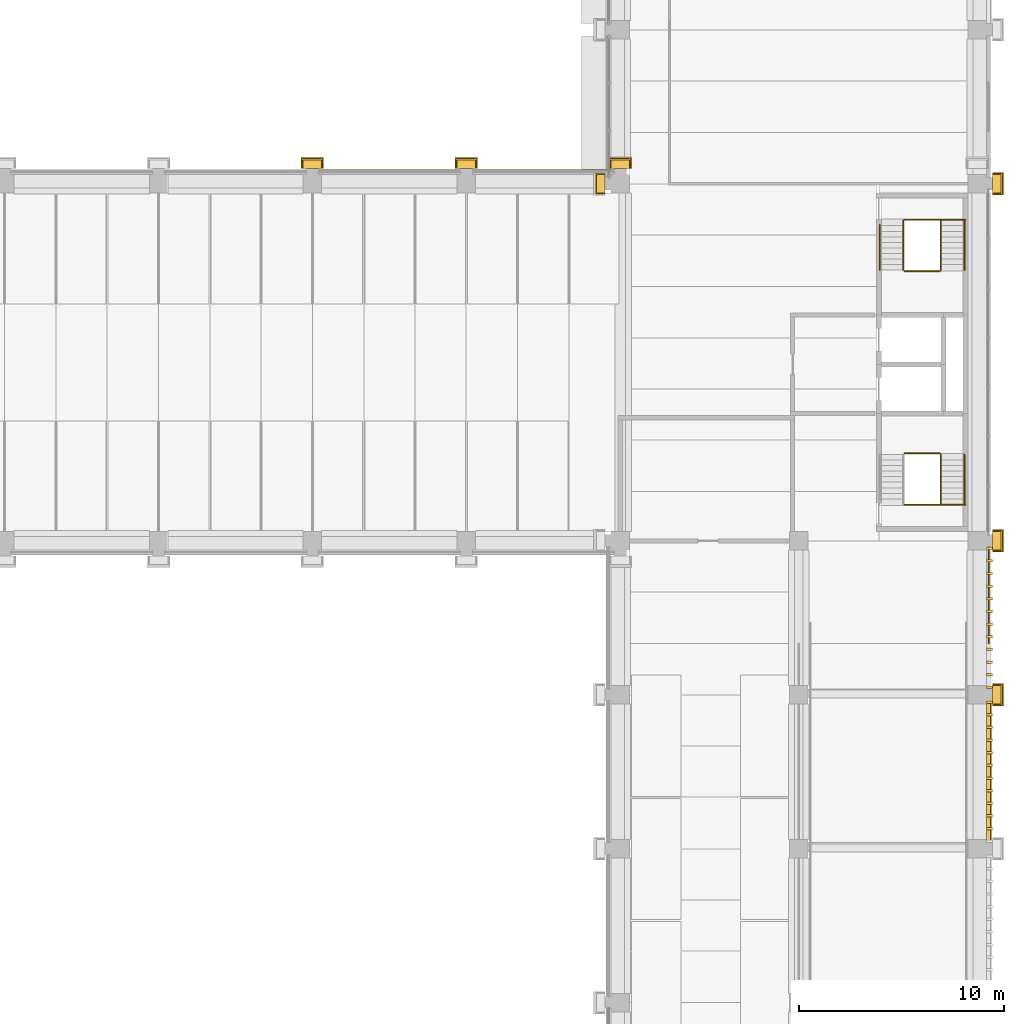
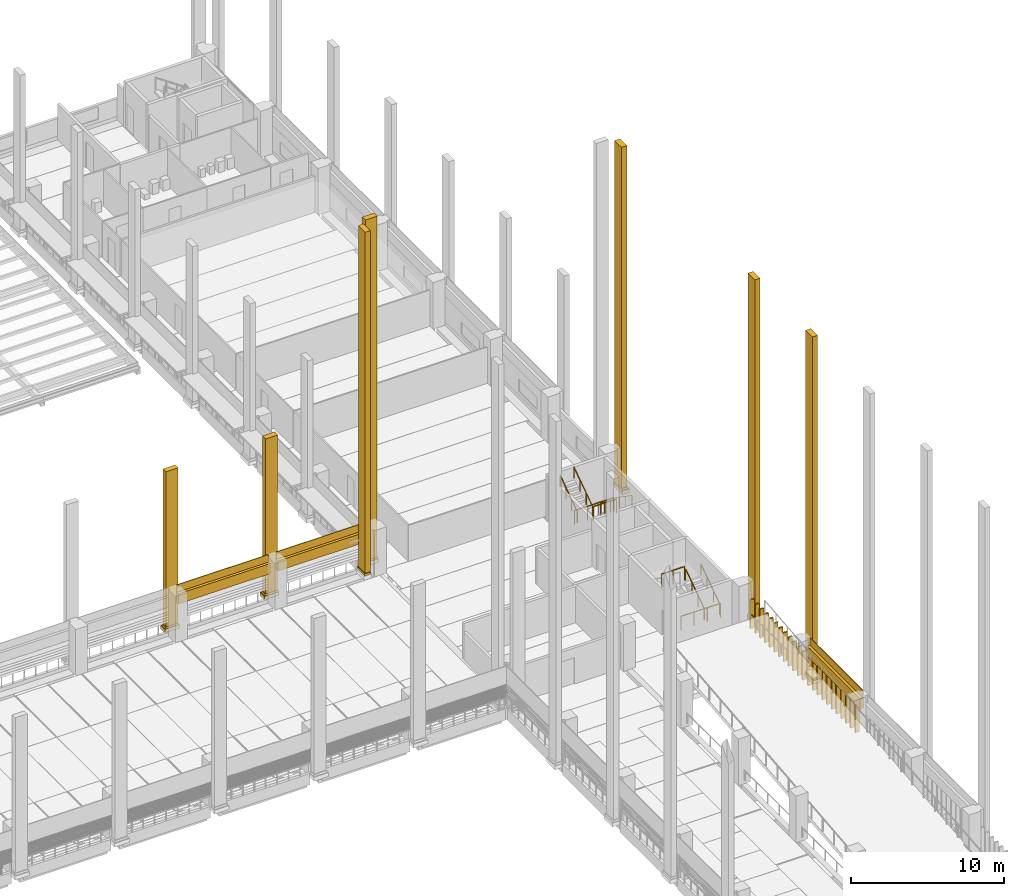
# One storey, part 60 of 67: 46 coverings, 11 railings.
"""IFC4 building model written with IfcOpenShell, lengths in metres."""

from ifc_helpers import new_model, si_unit, direction, frame, origin, origin_2d, place, context, subcontext, project, spatial, polyline, circle, outline, extrude, material, layer, layer_set, type_object, element, save


model = new_model("IFC4")

# Units and contexts
model_context = context("Model", 3, precision=1e-05, world=origin(), true_north=direction((0.0, 1.0)))
body_context = subcontext(model_context, "Body", "Model", "MODEL_VIEW")
ifc_project = project(units=[si_unit("LENGTHUNIT", "METRE"), si_unit("AREAUNIT", "SQUARE_METRE"), si_unit("VOLUMEUNIT", "CUBIC_METRE"), si_unit("PLANEANGLEUNIT", "RADIAN"), si_unit("MASSUNIT", "GRAM", prefix="KILO")], contexts=[model_context])

# Site, building, storey
site_placement = place(None, origin())
site = spatial("IfcSite", under=ifc_project, at=site_placement, CompositionType="ELEMENT")
building_placement = place(site_placement, origin())
building = spatial("IfcBuilding", under=site, at=building_placement, Name="Cour d'Honneur Mobility Palace", CompositionType="ELEMENT")
storey_placement = place(building_placement, frame((0.0, 0.0, 4.5)))
storey = spatial("IfcBuildingStorey", under=building, at=storey_placement, Name="L01", CompositionType="ELEMENT", Elevation=4.5)

# Railings
ifc_material_1 = material(Name="Painted steel", Category="steel")
railing_type_1 = type_object("IfcRailingType", Name="Balustrade", PredefinedType="BALUSTRADE", material=ifc_material_1)
railing_1_placement = place(storey_placement, frame((162.85009765625, 40.0, 0.300048828125)))
element("IfcRailing", 1, at=railing_1_placement, inside=storey, type_object=railing_type_1, Name="Balustrade BAL-32", PredefinedType="BALUSTRADE", context=body_context, shape_type="SweptSolid", body=[
    extrude(circle(Radius=0.02392578125, at=origin_2d()), frame((0.0, 0.0, 0.77587890625), z_axis=(0.0, 1.0, 0.0), x_axis=(-1.0, 0.0, 0.0)), (0.0, 0.0, 1.0), 4.699951171875),
    extrude(circle(Radius=0.02099609375, at=origin_2d()), origin(), (0.0, 0.0, 1.0), 0.751953125),
    extrude(circle(Radius=0.02099609375, at=origin_2d()), frame((0.0, 0.783203125, 0.0)), (0.0, 0.0, 1.0), 0.751953125),
    extrude(circle(Radius=0.02099609375, at=origin_2d()), frame((0.0, 1.566650390625, 0.0)), (0.0, 0.0, 1.0), 0.751953125),
    extrude(circle(Radius=0.02099609375, at=origin_2d()), frame((0.0, 2.35009765625, 0.0)), (0.0, 0.0, 1.0), 0.751953125),
    extrude(circle(Radius=0.02099609375, at=origin_2d()), frame((0.0, 3.13330078125, 0.0)), (0.0, 0.0, 1.0), 0.751953125),
    extrude(circle(Radius=0.02099609375, at=origin_2d()), frame((0.0, 3.91650390625, 0.0)), (0.0, 0.0, 1.0), 0.751953125),
    extrude(circle(Radius=0.02099609375, at=origin_2d()), frame((0.0, 4.699951171875, 0.0)), (0.0, 0.0, 1.0), 0.751953125),
])
ifc_material_2 = material(Name="Painted steel", Category="steel")
railing_type_2 = type_object("IfcRailingType", Name="Guardrail 1100", PredefinedType="GUARDRAIL", material=ifc_material_2)
railing_2_placement = place(storey_placement, frame((158.75, 46.7548828125, 0.0)))
element("IfcRailing", 2, at=railing_2_placement, inside=storey, type_object=railing_type_2, Name="Guard ST-CE1", PredefinedType="GUARDRAIL", context=body_context, shape_type="SweptSolid", body=[
    extrude(circle(Radius=0.02490234375, at=origin_2d()), frame((0.0, 0.0, 1.0751953125), z_axis=(1.0, 0.0, 0.0), x_axis=(0.0, 1.0, 0.0)), (0.0, 0.0, 1.0), 2.97509765625),
    extrude(circle(Radius=0.02099609375, at=origin_2d()), origin(), (0.0, 0.0, 1.0), 1.050048828125),
    extrude(circle(Radius=0.02099609375, at=origin_2d()), frame((0.99169921875, 0.0, 0.0)), (0.0, 0.0, 1.0), 1.050048828125),
    extrude(circle(Radius=0.02099609375, at=origin_2d()), frame((1.9833984375, 0.0, 0.0)), (0.0, 0.0, 1.0), 1.050048828125),
    extrude(circle(Radius=0.02099609375, at=origin_2d()), frame((2.97509765625, 0.0, 0.0)), (0.0, 0.0, 1.0), 1.050048828125),
])
railing_3_placement = place(storey_placement, frame((158.75, 49.264892578125, 1.85009765625)))
element("IfcRailing", 3, at=railing_3_placement, inside=storey, type_object=railing_type_2, Name="Landing guard ST-CE1", PredefinedType="GUARDRAIL", context=body_context, shape_type="SweptSolid", body=[
    extrude(circle(Radius=0.02490234375, at=origin_2d()), frame((0.0, 0.0, 1.0751953125), z_axis=(1.0, 0.0, 0.0), x_axis=(0.0, 1.0, 0.0)), (0.0, 0.0, 1.0), 1.72509765625),
    extrude(circle(Radius=0.02099609375, at=origin_2d()), origin(), (0.0, 0.0, 1.0), 1.050048828125),
    extrude(circle(Radius=0.02099609375, at=origin_2d()), frame((0.862548828125, 0.0, 0.0)), (0.0, 0.0, 1.0), 1.050048828125),
    extrude(circle(Radius=0.02099609375, at=origin_2d()), frame((1.72509765625, 0.0, 0.0)), (0.0, 0.0, 1.0), 1.050048828125),
])
railing_4_placement = place(storey_placement, frame((158.75, 60.64501953125, 0.0)))
element("IfcRailing", 4, at=railing_4_placement, inside=storey, type_object=railing_type_2, Name="Guard ST-CE2", PredefinedType="GUARDRAIL", context=body_context, shape_type="SweptSolid", body=[
    extrude(circle(Radius=0.02490234375, at=origin_2d()), frame((0.0, 0.0, 1.0751953125), z_axis=(1.0, 0.0, 0.0), x_axis=(0.0, 1.0, 0.0)), (0.0, 0.0, 1.0), 2.97509765625),
    extrude(circle(Radius=0.02099609375, at=origin_2d()), origin(), (0.0, 0.0, 1.0), 1.050048828125),
    extrude(circle(Radius=0.02099609375, at=origin_2d()), frame((0.99169921875, 0.0, 0.0)), (0.0, 0.0, 1.0), 1.050048828125),
    extrude(circle(Radius=0.02099609375, at=origin_2d()), frame((1.9833984375, 0.0, 0.0)), (0.0, 0.0, 1.0), 1.050048828125),
    extrude(circle(Radius=0.02099609375, at=origin_2d()), frame((2.97509765625, 0.0, 0.0)), (0.0, 0.0, 1.0), 1.050048828125),
])
railing_5_placement = place(storey_placement, frame((158.75, 58.135009765625, 1.85009765625)))
element("IfcRailing", 5, at=railing_5_placement, inside=storey, type_object=railing_type_2, Name="Landing guard ST-CE2", PredefinedType="GUARDRAIL", context=body_context, shape_type="SweptSolid", body=[
    extrude(circle(Radius=0.02490234375, at=origin_2d()), frame((0.0, 0.0, 1.0751953125), z_axis=(1.0, 0.0, 0.0), x_axis=(0.0, 1.0, 0.0)), (0.0, 0.0, 1.0), 1.72509765625),
    extrude(circle(Radius=0.02099609375, at=origin_2d()), origin(), (0.0, 0.0, 1.0), 1.050048828125),
    extrude(circle(Radius=0.02099609375, at=origin_2d()), frame((0.862548828125, 0.0, 0.0)), (0.0, 0.0, 1.0), 1.050048828125),
    extrude(circle(Radius=0.02099609375, at=origin_2d()), frame((1.72509765625, 0.0, 0.0)), (0.0, 0.0, 1.0), 1.050048828125),
])
ifc_material_3 = material(Name="Stainless steel", Category="steel")
railing_type_3 = type_object("IfcRailingType", Name="Handrail round 50", PredefinedType="HANDRAIL", material=ifc_material_3)
for number, where, name in (
    (6, (161.675048828125, 46.77490234375, 0.18505859375), "Handrail ST-CE1"),
    (7, (160.52490234375, 46.77490234375, 0.18505859375), "Handrail ST-CE1"),
):
    element("IfcRailing", number, at=place(storey_placement, frame(where)), inside=storey, type_object=railing_type_3, Name=name, PredefinedType="HANDRAIL", context=body_context, shape_type="SweptSolid", body=[
        extrude(circle(Radius=0.02490234375, at=origin_2d()), frame((0.0, 0.0, 0.89501953125), z_axis=(0.0, 0.824945253146, 0.565212640793), x_axis=(-1.0, 0.0, 0.0)), (0.0, 0.0, 1.0), 2.94580078125),
        extrude(circle(Radius=0.02099609375, at=origin_2d()), origin(), (0.0, 0.0, 1.0), 0.869873046875),
        extrude(circle(Radius=0.02099609375, at=origin_2d()), frame((0.0, 0.81005859375, 0.554931640625)), (0.0, 0.0, 1.0), 0.869873046875),
        extrude(circle(Radius=0.02099609375, at=origin_2d()), frame((0.0, 1.6201171875, 1.110107421875)), (0.0, 0.0, 1.0), 0.869873046875),
        extrude(circle(Radius=0.02099609375, at=origin_2d()), frame((0.0, 2.43017578125, 1.6650390625)), (0.0, 0.0, 1.0), 0.869873046875),
    ])
for number, where, name in (
    (8, (161.675048828125, 60.625, 0.18505859375), "Handrail ST-CE2"),
    (9, (160.52490234375, 60.625, 0.18505859375), "Handrail ST-CE2"),
):
    element("IfcRailing", number, at=place(storey_placement, frame(where)), inside=storey, type_object=railing_type_3, Name=name, PredefinedType="HANDRAIL", context=body_context, shape_type="SweptSolid", body=[
        extrude(circle(Radius=0.02490234375, at=origin_2d()), frame((0.0, 0.0, 0.89501953125), z_axis=(0.0, -0.8249187745, 0.56525128525), x_axis=(1.0, 0.0, 0.0)), (0.0, 0.0, 1.0), 2.945556640625),
        extrude(circle(Radius=0.02099609375, at=origin_2d()), origin(), (0.0, 0.0, 1.0), 0.869873046875),
        extrude(circle(Radius=0.02099609375, at=origin_2d()), frame((0.0, -0.81005859375, 0.554931640625)), (0.0, 0.0, 1.0), 0.869873046875),
        extrude(circle(Radius=0.02099609375, at=origin_2d()), frame((0.0, -1.619873046875, 1.110107421875)), (0.0, 0.0, 1.0), 0.869873046875),
        extrude(circle(Radius=0.02099609375, at=origin_2d()), frame((0.0, -2.429931640625, 1.6650390625)), (0.0, 0.0, 1.0), 0.869873046875),
    ])
railing_6_placement = place(storey_placement, frame((158.699951171875, 58.195068359375, 2.034912109375)))
element("IfcRailing", 10, at=railing_6_placement, inside=storey, type_object=railing_type_3, Name="Handrail ST-CE2", PredefinedType="HANDRAIL", context=body_context, shape_type="SweptSolid", body=[
    extrude(circle(Radius=0.02490234375, at=origin_2d()), frame((0.0, 0.0, 0.89501953125), z_axis=(0.0, 0.8249187745, 0.56525128525), x_axis=(-1.0, 0.0, 0.0)), (0.0, 0.0, 1.0), 2.945556640625),
    extrude(circle(Radius=0.02099609375, at=origin_2d()), origin(), (0.0, 0.0, 1.0), 0.869873046875),
    extrude(circle(Radius=0.02099609375, at=origin_2d()), frame((0.0, 0.81005859375, 0.554931640625)), (0.0, 0.0, 1.0), 0.869873046875),
    extrude(circle(Radius=0.02099609375, at=origin_2d()), frame((0.0, 1.619873046875, 1.110107421875)), (0.0, 0.0, 1.0), 0.869873046875),
    extrude(circle(Radius=0.02099609375, at=origin_2d()), frame((0.0, 2.429931640625, 1.6650390625)), (0.0, 0.0, 1.0), 0.869873046875),
])
railing_7_placement = place(storey_placement, frame((157.550048828125, 58.195068359375, 2.034912109375)))
element("IfcRailing", 11, at=railing_7_placement, inside=storey, type_object=railing_type_3, Name="Handrail ST-CE2", PredefinedType="HANDRAIL", context=body_context, shape_type="SweptSolid", body=[
    extrude(circle(Radius=0.02490234375, at=origin_2d()), frame((0.0, 0.0, 0.89501953125), z_axis=(0.0, 0.82488583654, 0.565299351384), x_axis=(-1.0, 0.0, 0.0)), (0.0, 0.0, 1.0), 2.6728515625),
    extrude(circle(Radius=0.02099609375, at=origin_2d()), origin(), (0.0, 0.0, 1.0), 0.869873046875),
    extrude(circle(Radius=0.02099609375, at=origin_2d()), frame((0.0, 0.73486328125, 0.503662109375)), (0.0, 0.0, 1.0), 0.869873046875),
    extrude(circle(Radius=0.02099609375, at=origin_2d()), frame((0.0, 1.469970703125, 1.00732421875)), (0.0, 0.0, 1.0), 0.869873046875),
    extrude(circle(Radius=0.02099609375, at=origin_2d()), frame((0.0, 2.204833984375, 1.510986328125)), (0.0, 0.0, 1.0), 0.869873046875),
])

# Coverings
ifc_material_4 = material(Name="Cast limestone", Category="masonry")
ifc_layer_1 = layer(ifc_material_4, 0.14990234375)
ifc_layer_set_1 = layer_set([ifc_layer_1], Name="Cast limestone")
covering_type_1 = type_object("IfcCoveringType", Name="Pilaster base", PredefinedType="CLADDING", material=ifc_layer_set_1)
covering_1_placement = place(storey_placement, frame((0.0, 0.0, 0.10009765625)))
element("IfcCovering", 12, at=covering_1_placement, inside=storey, type_object=covering_type_1, Name="Pilaster base PB-83", PredefinedType="CLADDING", context=body_context, shape_type="SweptSolid", body=[
    extrude(outline(polyline([(163.050048828125, 36.949951171875), (163.050048828125, 38.050048828125), (163.60009765625, 38.050048828125), (163.60009765625, 36.949951171875), (163.050048828125, 36.949951171875)])), origin(), (0.0, 0.0, 1.0), 0.2998046875),
])
covering_2_placement = place(storey_placement, frame((0.0, 0.0, 0.39990234375)))
element("IfcCovering", 13, at=covering_2_placement, inside=storey, type_object=covering_type_1, Name="Pilaster base PB-84", PredefinedType="CLADDING", context=body_context, shape_type="SweptSolid", body=[
    extrude(outline(polyline([(163.050048828125, 37.0), (163.050048828125, 38.0), (163.52001953125, 38.0), (163.52001953125, 37.0), (163.050048828125, 37.0)])), origin(), (0.0, 0.0, 1.0), 0.150146484375),
])
covering_3_placement = place(storey_placement, frame((0.0, 0.0, 0.10009765625)))
element("IfcCovering", 14, at=covering_3_placement, inside=storey, type_object=covering_type_1, Name="Pilaster base PB-85", PredefinedType="CLADDING", context=body_context, shape_type="SweptSolid", body=[
    extrude(outline(polyline([(163.050048828125, 44.449951171875), (163.050048828125, 45.550048828125), (163.60009765625, 45.550048828125), (163.60009765625, 44.449951171875), (163.050048828125, 44.449951171875)])), origin(), (0.0, 0.0, 1.0), 0.2998046875),
])
covering_4_placement = place(storey_placement, frame((0.0, 0.0, 0.39990234375)))
element("IfcCovering", 15, at=covering_4_placement, inside=storey, type_object=covering_type_1, Name="Pilaster base PB-86", PredefinedType="CLADDING", context=body_context, shape_type="SweptSolid", body=[
    extrude(outline(polyline([(163.050048828125, 44.5), (163.050048828125, 45.5), (163.52001953125, 45.5), (163.52001953125, 44.5), (163.050048828125, 44.5)])), origin(), (0.0, 0.0, 1.0), 0.150146484375),
])
covering_5_placement = place(storey_placement, frame((0.0, 0.0, 0.10009765625)))
element("IfcCovering", 16, at=covering_5_placement, inside=storey, type_object=covering_type_1, Name="Pilaster base PB-87", PredefinedType="CLADDING", context=body_context, shape_type="SweptSolid", body=[
    extrude(outline(polyline([(163.050048828125, 61.85009765625), (163.050048828125, 62.949951171875), (163.60009765625, 62.949951171875), (163.60009765625, 61.85009765625), (163.050048828125, 61.85009765625)])), origin(), (0.0, 0.0, 1.0), 0.2998046875),
])
covering_6_placement = place(storey_placement, frame((0.0, 0.0, 0.39990234375)))
element("IfcCovering", 17, at=covering_6_placement, inside=storey, type_object=covering_type_1, Name="Pilaster base PB-88", PredefinedType="CLADDING", context=body_context, shape_type="SweptSolid", body=[
    extrude(outline(polyline([(163.050048828125, 61.89990234375), (163.050048828125, 62.89990234375), (163.52001953125, 62.89990234375), (163.52001953125, 61.89990234375), (163.050048828125, 61.89990234375)])), origin(), (0.0, 0.0, 1.0), 0.150146484375),
])
covering_7_placement = place(storey_placement, frame((0.0, 0.0, 0.39990234375)))
element("IfcCovering", 18, at=covering_7_placement, inside=storey, type_object=covering_type_1, Name="Pilaster base PB-122", PredefinedType="CLADDING", context=body_context, shape_type="SweptSolid", body=[
    extrude(outline(polyline([(144.14990234375, 62.89990234375), (144.14990234375, 61.89990234375), (143.679931640625, 61.89990234375), (143.679931640625, 62.89990234375), (144.14990234375, 62.89990234375)])), origin(), (0.0, 0.0, 1.0), 0.150146484375),
])
covering_8_placement = place(storey_placement, frame((0.0, 0.0, 0.10009765625)))
element("IfcCovering", 19, at=covering_8_placement, inside=storey, type_object=covering_type_1, Name="Pilaster base PB-123", PredefinedType="CLADDING", context=body_context, shape_type="SweptSolid", body=[
    extrude(outline(polyline([(145.449951171875, 63.14990234375), (144.35009765625, 63.14990234375), (144.35009765625, 63.699951171875), (145.449951171875, 63.699951171875), (145.449951171875, 63.14990234375)])), origin(), (0.0, 0.0, 1.0), 0.2998046875),
])
covering_9_placement = place(storey_placement, frame((0.0, 0.0, 0.39990234375)))
element("IfcCovering", 20, at=covering_9_placement, inside=storey, type_object=covering_type_1, Name="Pilaster base PB-124", PredefinedType="CLADDING", context=body_context, shape_type="SweptSolid", body=[
    extrude(outline(polyline([(145.39990234375, 63.14990234375), (144.39990234375, 63.14990234375), (144.39990234375, 63.6201171875), (145.39990234375, 63.6201171875), (145.39990234375, 63.14990234375)])), origin(), (0.0, 0.0, 1.0), 0.150146484375),
])
covering_10_placement = place(storey_placement, frame((0.0, 0.0, 0.10009765625)))
element("IfcCovering", 21, at=covering_10_placement, inside=storey, type_object=covering_type_1, Name="Pilaster base PB-125", PredefinedType="CLADDING", context=body_context, shape_type="SweptSolid", body=[
    extrude(outline(polyline([(137.949951171875, 63.14990234375), (136.85009765625, 63.14990234375), (136.85009765625, 63.699951171875), (137.949951171875, 63.699951171875), (137.949951171875, 63.14990234375)])), origin(), (0.0, 0.0, 1.0), 0.2998046875),
])
covering_11_placement = place(storey_placement, frame((0.0, 0.0, 0.39990234375)))
element("IfcCovering", 22, at=covering_11_placement, inside=storey, type_object=covering_type_1, Name="Pilaster base PB-126", PredefinedType="CLADDING", context=body_context, shape_type="SweptSolid", body=[
    extrude(outline(polyline([(137.89990234375, 63.14990234375), (136.89990234375, 63.14990234375), (136.89990234375, 63.6201171875), (137.89990234375, 63.6201171875), (137.89990234375, 63.14990234375)])), origin(), (0.0, 0.0, 1.0), 0.150146484375),
])
covering_12_placement = place(storey_placement, frame((0.0, 0.0, 0.10009765625)))
element("IfcCovering", 23, at=covering_12_placement, inside=storey, type_object=covering_type_1, Name="Pilaster base PB-127", PredefinedType="CLADDING", context=body_context, shape_type="SweptSolid", body=[
    extrude(outline(polyline([(130.449951171875, 63.14990234375), (129.35009765625, 63.14990234375), (129.35009765625, 63.699951171875), (130.449951171875, 63.699951171875), (130.449951171875, 63.14990234375)])), origin(), (0.0, 0.0, 1.0), 0.2998046875),
])
covering_13_placement = place(storey_placement, frame((0.0, 0.0, 0.39990234375)))
element("IfcCovering", 24, at=covering_13_placement, inside=storey, type_object=covering_type_1, Name="Pilaster base PB-128", PredefinedType="CLADDING", context=body_context, shape_type="SweptSolid", body=[
    extrude(outline(polyline([(130.39990234375, 63.14990234375), (129.39990234375, 63.14990234375), (129.39990234375, 63.6201171875), (130.39990234375, 63.6201171875), (130.39990234375, 63.14990234375)])), origin(), (0.0, 0.0, 1.0), 0.150146484375),
])
ifc_material_5 = material(Name="Cast limestone", Category="masonry")
ifc_layer_2 = layer(ifc_material_5, 0.39990234375)
ifc_layer_set_2 = layer_set([ifc_layer_2], Name="Cast limestone")
covering_type_2 = type_object("IfcCoveringType", Name="Pilaster shaft", PredefinedType="CLADDING", material=ifc_layer_set_2)
covering_14_placement = place(storey_placement, frame((0.0, 0.0, 0.550048828125)))
element("IfcCovering", 25, at=covering_14_placement, inside=storey, type_object=covering_type_2, Name="Pilaster shaft PS-42", PredefinedType="CLADDING", context=body_context, shape_type="SweptSolid", body=[
    extrude(outline(polyline([(163.050048828125, 37.050048828125), (163.050048828125, 37.949951171875), (163.449951171875, 37.949951171875), (163.449951171875, 37.050048828125), (163.050048828125, 37.050048828125)])), origin(), (0.0, 0.0, 1.0), 27.14990234375),
])
covering_15_placement = place(storey_placement, frame((0.0, 0.0, 0.550048828125)))
element("IfcCovering", 26, at=covering_15_placement, inside=storey, type_object=covering_type_2, Name="Pilaster shaft PS-43", PredefinedType="CLADDING", context=body_context, shape_type="SweptSolid", body=[
    extrude(outline(polyline([(163.050048828125, 44.550048828125), (163.050048828125, 45.449951171875), (163.449951171875, 45.449951171875), (163.449951171875, 44.550048828125), (163.050048828125, 44.550048828125)])), origin(), (0.0, 0.0, 1.0), 27.14990234375),
])
covering_16_placement = place(storey_placement, frame((0.0, 0.0, 0.550048828125)))
element("IfcCovering", 27, at=covering_16_placement, inside=storey, type_object=covering_type_2, Name="Pilaster shaft PS-44", PredefinedType="CLADDING", context=body_context, shape_type="SweptSolid", body=[
    extrude(outline(polyline([(163.050048828125, 61.949951171875), (163.050048828125, 62.85009765625), (163.449951171875, 62.85009765625), (163.449951171875, 61.949951171875), (163.050048828125, 61.949951171875)])), origin(), (0.0, 0.0, 1.0), 27.14990234375),
])
covering_17_placement = place(storey_placement, frame((0.0, 0.0, 0.550048828125)))
element("IfcCovering", 28, at=covering_17_placement, inside=storey, type_object=covering_type_2, Name="Pilaster shaft PS-61", PredefinedType="CLADDING", context=body_context, shape_type="SweptSolid", body=[
    extrude(outline(polyline([(144.14990234375, 62.85009765625), (144.14990234375, 61.949951171875), (143.75, 61.949951171875), (143.75, 62.85009765625), (144.14990234375, 62.85009765625)])), origin(), (0.0, 0.0, 1.0), 27.14990234375),
])
covering_18_placement = place(storey_placement, frame((0.0, 0.0, 0.550048828125)))
element("IfcCovering", 29, at=covering_18_placement, inside=storey, type_object=covering_type_2, Name="Pilaster shaft PS-62", PredefinedType="CLADDING", context=body_context, shape_type="SweptSolid", body=[
    extrude(outline(polyline([(145.35009765625, 63.14990234375), (144.449951171875, 63.14990234375), (144.449951171875, 63.550048828125), (145.35009765625, 63.550048828125), (145.35009765625, 63.14990234375)])), origin(), (0.0, 0.0, 1.0), 27.14990234375),
])
covering_19_placement = place(storey_placement, frame((0.0, 0.0, 0.550048828125)))
element("IfcCovering", 30, at=covering_19_placement, inside=storey, type_object=covering_type_2, Name="Pilaster shaft PS-63", PredefinedType="CLADDING", context=body_context, shape_type="SweptSolid", body=[
    extrude(outline(polyline([(137.85009765625, 63.14990234375), (136.949951171875, 63.14990234375), (136.949951171875, 63.550048828125), (137.85009765625, 63.550048828125), (137.85009765625, 63.14990234375)])), origin(), (0.0, 0.0, 1.0), 12.349853515625),
])
covering_20_placement = place(storey_placement, frame((0.0, 0.0, 0.550048828125)))
element("IfcCovering", 31, at=covering_20_placement, inside=storey, type_object=covering_type_2, Name="Pilaster shaft PS-64", PredefinedType="CLADDING", context=body_context, shape_type="SweptSolid", body=[
    extrude(outline(polyline([(130.35009765625, 63.14990234375), (129.449951171875, 63.14990234375), (129.449951171875, 63.550048828125), (130.35009765625, 63.550048828125), (130.35009765625, 63.14990234375)])), origin(), (0.0, 0.0, 1.0), 12.349853515625),
])
ifc_material_6 = material(Name="Cast limestone", Category="masonry")
ifc_layer_3 = layer(ifc_material_6, 0.1201171875)
ifc_layer_set_3 = layer_set([ifc_layer_3], Name="Cast limestone")
covering_type_3 = type_object("IfcCoveringType", Name="Ramp screen fin", PredefinedType="CLADDING", material=ifc_layer_set_3)
covering_21_placement = place(storey_placement, origin())
element("IfcCovering", 32, at=covering_21_placement, inside=storey, type_object=covering_type_3, Name="Ramp screen fin E5.4 L01 2", PredefinedType="CLADDING", context=body_context, shape_type="SweptSolid", body=[
    extrude(outline(polyline([(162.75, 30.916259765625), (162.75, 31.036376953125), (163.050048828125, 31.036376953125), (163.050048828125, 30.916259765625), (162.75, 30.916259765625)])), origin(), (0.0, 0.0, 1.0), 2.300048828125),
])
covering_22_placement = place(storey_placement, origin())
element("IfcCovering", 33, at=covering_22_placement, inside=storey, type_object=covering_type_3, Name="Ramp screen fin E5.4 L01 3", PredefinedType="CLADDING", context=body_context, shape_type="SweptSolid", body=[
    extrude(outline(polyline([(162.75, 31.53271484375), (162.75, 31.65283203125), (163.050048828125, 31.65283203125), (163.050048828125, 31.53271484375), (162.75, 31.53271484375)])), origin(), (0.0, 0.0, 1.0), 2.300048828125),
])
covering_23_placement = place(storey_placement, origin())
element("IfcCovering", 34, at=covering_23_placement, inside=storey, type_object=covering_type_3, Name="Ramp screen fin E5.4 L01 4", PredefinedType="CLADDING", context=body_context, shape_type="SweptSolid", body=[
    extrude(outline(polyline([(162.75, 32.149169921875), (162.75, 32.26904296875), (163.050048828125, 32.26904296875), (163.050048828125, 32.149169921875), (162.75, 32.149169921875)])), origin(), (0.0, 0.0, 1.0), 2.300048828125),
])
covering_24_placement = place(storey_placement, origin())
element("IfcCovering", 35, at=covering_24_placement, inside=storey, type_object=covering_type_3, Name="Ramp screen fin E5.4 L01 5", PredefinedType="CLADDING", context=body_context, shape_type="SweptSolid", body=[
    extrude(outline(polyline([(162.75, 32.765380859375), (162.75, 32.885498046875), (163.050048828125, 32.885498046875), (163.050048828125, 32.765380859375), (162.75, 32.765380859375)])), origin(), (0.0, 0.0, 1.0), 2.300048828125),
])
covering_25_placement = place(storey_placement, origin())
element("IfcCovering", 36, at=covering_25_placement, inside=storey, type_object=covering_type_3, Name="Ramp screen fin E5.4 L01 6", PredefinedType="CLADDING", context=body_context, shape_type="SweptSolid", body=[
    extrude(outline(polyline([(162.75, 33.3818359375), (162.75, 33.501708984375), (163.050048828125, 33.501708984375), (163.050048828125, 33.3818359375), (162.75, 33.3818359375)])), origin(), (0.0, 0.0, 1.0), 2.300048828125),
])
covering_26_placement = place(storey_placement, origin())
element("IfcCovering", 37, at=covering_26_placement, inside=storey, type_object=covering_type_3, Name="Ramp screen fin E5.4 L01 7", PredefinedType="CLADDING", context=body_context, shape_type="SweptSolid", body=[
    extrude(outline(polyline([(162.75, 33.998291015625), (162.75, 34.1181640625), (163.050048828125, 34.1181640625), (163.050048828125, 33.998291015625), (162.75, 33.998291015625)])), origin(), (0.0, 0.0, 1.0), 2.300048828125),
])
covering_27_placement = place(storey_placement, origin())
element("IfcCovering", 38, at=covering_27_placement, inside=storey, type_object=covering_type_3, Name="Ramp screen fin E5.4 L01 8", PredefinedType="CLADDING", context=body_context, shape_type="SweptSolid", body=[
    extrude(outline(polyline([(162.75, 34.614501953125), (162.75, 34.734619140625), (163.050048828125, 34.734619140625), (163.050048828125, 34.614501953125), (162.75, 34.614501953125)])), origin(), (0.0, 0.0, 1.0), 2.300048828125),
])
covering_28_placement = place(storey_placement, origin())
element("IfcCovering", 39, at=covering_28_placement, inside=storey, type_object=covering_type_3, Name="Ramp screen fin E5.4 L01 9", PredefinedType="CLADDING", context=body_context, shape_type="SweptSolid", body=[
    extrude(outline(polyline([(162.75, 35.23095703125), (162.75, 35.350830078125), (163.050048828125, 35.350830078125), (163.050048828125, 35.23095703125), (162.75, 35.23095703125)])), origin(), (0.0, 0.0, 1.0), 2.300048828125),
])
covering_29_placement = place(storey_placement, origin())
element("IfcCovering", 40, at=covering_29_placement, inside=storey, type_object=covering_type_3, Name="Ramp screen fin E5.4 L01 10", PredefinedType="CLADDING", context=body_context, shape_type="SweptSolid", body=[
    extrude(outline(polyline([(162.75, 35.84716796875), (162.75, 35.96728515625), (163.050048828125, 35.96728515625), (163.050048828125, 35.84716796875), (162.75, 35.84716796875)])), origin(), (0.0, 0.0, 1.0), 2.300048828125),
])
covering_30_placement = place(storey_placement, origin())
element("IfcCovering", 41, at=covering_30_placement, inside=storey, type_object=covering_type_3, Name="Ramp screen fin E5.4 L01 11", PredefinedType="CLADDING", context=body_context, shape_type="SweptSolid", body=[
    extrude(outline(polyline([(162.75, 36.463623046875), (162.75, 36.583740234375), (163.050048828125, 36.583740234375), (163.050048828125, 36.463623046875), (162.75, 36.463623046875)])), origin(), (0.0, 0.0, 1.0), 2.300048828125),
])
covering_31_placement = place(storey_placement, origin())
element("IfcCovering", 42, at=covering_31_placement, inside=storey, type_object=covering_type_3, Name="Ramp screen fin E5.4 L01 12", PredefinedType="CLADDING", context=body_context, shape_type="SweptSolid", body=[
    extrude(outline(polyline([(162.75, 37.080078125), (162.75, 37.199951171875), (163.050048828125, 37.199951171875), (163.050048828125, 37.080078125), (162.75, 37.080078125)])), origin(), (0.0, 0.0, 1.0), 2.300048828125),
])
covering_32_placement = place(storey_placement, origin())
element("IfcCovering", 43, at=covering_32_placement, inside=storey, type_object=covering_type_3, Name="Ramp screen fin E5.5 L01 1", PredefinedType="CLADDING", context=body_context, shape_type="SweptSolid", body=[
    extrude(outline(polyline([(162.75, 37.800048828125), (162.75, 37.919921875), (163.050048828125, 37.919921875), (163.050048828125, 37.800048828125), (162.75, 37.800048828125)])), origin(), (0.0, 0.0, 1.0), 2.300048828125),
])
covering_33_placement = place(storey_placement, origin())
element("IfcCovering", 44, at=covering_33_placement, inside=storey, type_object=covering_type_3, Name="Ramp screen fin E5.5 L01 2", PredefinedType="CLADDING", context=body_context, shape_type="SweptSolid", body=[
    extrude(outline(polyline([(162.75, 38.416259765625), (162.75, 38.536376953125), (163.050048828125, 38.536376953125), (163.050048828125, 38.416259765625), (162.75, 38.416259765625)])), origin(), (0.0, 0.0, 1.0), 2.300048828125),
])
covering_34_placement = place(storey_placement, origin())
element("IfcCovering", 45, at=covering_34_placement, inside=storey, type_object=covering_type_3, Name="Ramp screen fin E5.5 L01 3", PredefinedType="CLADDING", context=body_context, shape_type="SweptSolid", body=[
    extrude(outline(polyline([(162.75, 39.03271484375), (162.75, 39.15283203125), (163.050048828125, 39.15283203125), (163.050048828125, 39.03271484375), (162.75, 39.03271484375)])), origin(), (0.0, 0.0, 1.0), 2.300048828125),
])
covering_35_placement = place(storey_placement, origin())
element("IfcCovering", 46, at=covering_35_placement, inside=storey, type_object=covering_type_3, Name="Ramp screen fin E5.5 L01 4", PredefinedType="CLADDING", context=body_context, shape_type="SweptSolid", body=[
    extrude(outline(polyline([(162.75, 39.649169921875), (162.75, 39.76904296875), (163.050048828125, 39.76904296875), (163.050048828125, 39.649169921875), (162.75, 39.649169921875)])), origin(), (0.0, 0.0, 1.0), 2.300048828125),
])
covering_36_placement = place(storey_placement, origin())
element("IfcCovering", 47, at=covering_36_placement, inside=storey, type_object=covering_type_3, Name="Ramp screen fin E5.5 L01 5", PredefinedType="CLADDING", context=body_context, shape_type="SweptSolid", body=[
    extrude(outline(polyline([(162.75, 40.265380859375), (162.75, 40.385498046875), (163.050048828125, 40.385498046875), (163.050048828125, 40.265380859375), (162.75, 40.265380859375)])), origin(), (0.0, 0.0, 1.0), 2.300048828125),
])
covering_37_placement = place(storey_placement, origin())
element("IfcCovering", 48, at=covering_37_placement, inside=storey, type_object=covering_type_3, Name="Ramp screen fin E5.5 L01 6", PredefinedType="CLADDING", context=body_context, shape_type="SweptSolid", body=[
    extrude(outline(polyline([(162.75, 40.8818359375), (162.75, 41.001708984375), (163.050048828125, 41.001708984375), (163.050048828125, 40.8818359375), (162.75, 40.8818359375)])), origin(), (0.0, 0.0, 1.0), 2.300048828125),
])
covering_38_placement = place(storey_placement, origin())
element("IfcCovering", 49, at=covering_38_placement, inside=storey, type_object=covering_type_3, Name="Ramp screen fin E5.5 L01 7", PredefinedType="CLADDING", context=body_context, shape_type="SweptSolid", body=[
    extrude(outline(polyline([(162.75, 41.498291015625), (162.75, 41.6181640625), (163.050048828125, 41.6181640625), (163.050048828125, 41.498291015625), (162.75, 41.498291015625)])), origin(), (0.0, 0.0, 1.0), 2.300048828125),
])
covering_39_placement = place(storey_placement, origin())
element("IfcCovering", 50, at=covering_39_placement, inside=storey, type_object=covering_type_3, Name="Ramp screen fin E5.5 L01 8", PredefinedType="CLADDING", context=body_context, shape_type="SweptSolid", body=[
    extrude(outline(polyline([(162.75, 42.114501953125), (162.75, 42.234619140625), (163.050048828125, 42.234619140625), (163.050048828125, 42.114501953125), (162.75, 42.114501953125)])), origin(), (0.0, 0.0, 1.0), 2.300048828125),
])
covering_40_placement = place(storey_placement, origin())
element("IfcCovering", 51, at=covering_40_placement, inside=storey, type_object=covering_type_3, Name="Ramp screen fin E5.5 L01 9", PredefinedType="CLADDING", context=body_context, shape_type="SweptSolid", body=[
    extrude(outline(polyline([(162.75, 42.73095703125), (162.75, 42.850830078125), (163.050048828125, 42.850830078125), (163.050048828125, 42.73095703125), (162.75, 42.73095703125)])), origin(), (0.0, 0.0, 1.0), 2.300048828125),
])
covering_41_placement = place(storey_placement, origin())
element("IfcCovering", 52, at=covering_41_placement, inside=storey, type_object=covering_type_3, Name="Ramp screen fin E5.5 L01 10", PredefinedType="CLADDING", context=body_context, shape_type="SweptSolid", body=[
    extrude(outline(polyline([(162.75, 43.34716796875), (162.75, 43.46728515625), (163.050048828125, 43.46728515625), (163.050048828125, 43.34716796875), (162.75, 43.34716796875)])), origin(), (0.0, 0.0, 1.0), 2.300048828125),
])
covering_42_placement = place(storey_placement, origin())
element("IfcCovering", 53, at=covering_42_placement, inside=storey, type_object=covering_type_3, Name="Ramp screen fin E5.5 L01 11", PredefinedType="CLADDING", context=body_context, shape_type="SweptSolid", body=[
    extrude(outline(polyline([(162.75, 43.963623046875), (162.75, 44.083740234375), (163.050048828125, 44.083740234375), (163.050048828125, 43.963623046875), (162.75, 43.963623046875)])), origin(), (0.0, 0.0, 1.0), 2.300048828125),
])
covering_43_placement = place(storey_placement, origin())
element("IfcCovering", 54, at=covering_43_placement, inside=storey, type_object=covering_type_3, Name="Ramp screen fin E5.5 L01 12", PredefinedType="CLADDING", context=body_context, shape_type="SweptSolid", body=[
    extrude(outline(polyline([(162.75, 44.580078125), (162.75, 44.699951171875), (163.050048828125, 44.699951171875), (163.050048828125, 44.580078125), (162.75, 44.580078125)])), origin(), (0.0, 0.0, 1.0), 2.300048828125),
])
ifc_material_7 = material(Name="Cast limestone", Category="masonry")
ifc_layer_4 = layer(ifc_material_7, 0.25)
ifc_layer_set_4 = layer_set([ifc_layer_4], Name="Cast limestone")
covering_type_4 = type_object("IfcCoveringType", Name="Spandrel cladding", PredefinedType="CLADDING", material=ifc_layer_set_4)
for number, where, z_axis, x_axis, name in (
    (55, (162.75, 30.300048828125, 2.300048828125), (0.0, -1.0, 0.0), (1.0, 0.0, 0.0), "Spandrel cladding SK-94"),
    (56, (144.60009765625, 62.85009765625, 2.300048828125), (1.0, 0.0, 0.0), (0.0, 1.0, 0.0), "Spandrel cladding SK-107"),
    (57, (137.10009765625, 62.85009765625, 2.300048828125), (1.0, 0.0, 0.0), (0.0, 1.0, 0.0), "Spandrel cladding SK-108"),
):
    element("IfcCovering", number, at=place(storey_placement, frame(where, z_axis=z_axis, x_axis=x_axis)), inside=storey, type_object=covering_type_4, Name=name, PredefinedType="CLADDING", context=body_context, shape_type="SweptSolid", body=[
        extrude(outline(polyline([(0.0, 0.0), (0.25, 0.0), (0.25, 1.39990234375), (0.199951171875, 1.39990234375), (0.199951171875, 0.800048828125), (0.0, 0.800048828125), (0.0, 0.0)])), origin(), (0.0, 0.0, -1.0), 6.89990234375),
    ])

save(model, "model.ifc")
